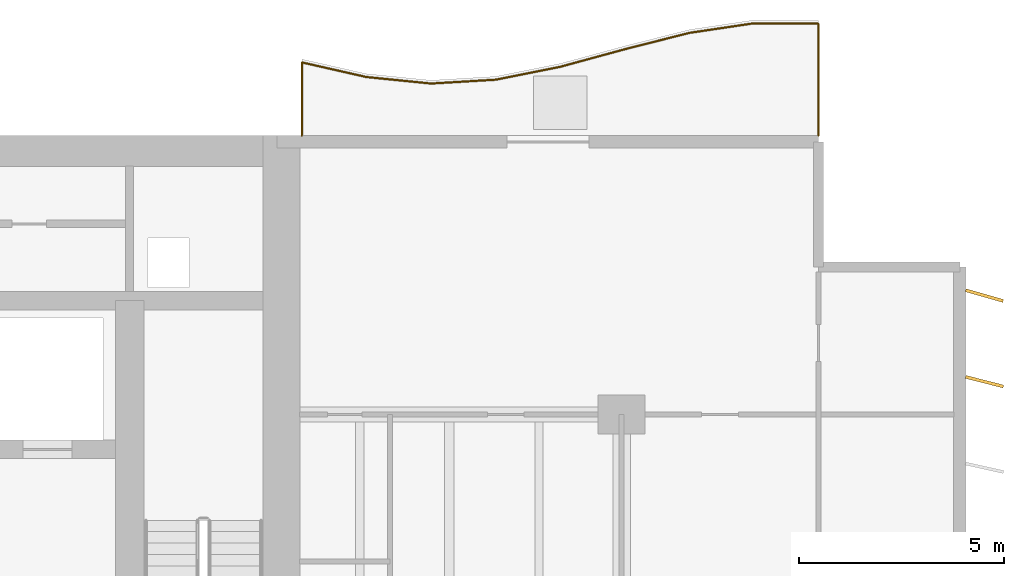
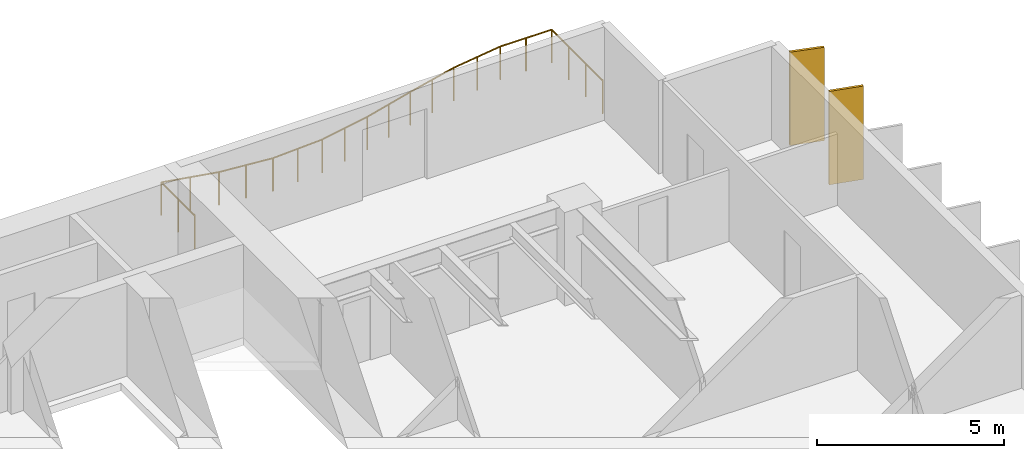
# One storey, part 18 of 18: 2 shading devices, 1 railing.
"""IFC4 building model written with IfcOpenShell, lengths in metres."""

from ifc_helpers import new_model, si_unit, direction, frame, origin, origin_2d, place, context, subcontext, project, spatial, rectangle, circle, extrude, material, material_profile, profile_set, type_object, element, save


model = new_model("IFC4")

# Units and contexts
model_context = context("Model", 3, precision=1e-05, world=origin(), true_north=direction((0.0, 1.0)))
body_context = subcontext(model_context, "Body", "Model", "MODEL_VIEW")
ifc_project = project(units=[si_unit("LENGTHUNIT", "METRE"), si_unit("AREAUNIT", "SQUARE_METRE"), si_unit("VOLUMEUNIT", "CUBIC_METRE"), si_unit("PLANEANGLEUNIT", "RADIAN"), si_unit("MASSUNIT", "GRAM", prefix="KILO")], contexts=[model_context])

# Site, building, storey
site_placement = place(None, origin())
site = spatial("IfcSite", under=ifc_project, at=site_placement, CompositionType="ELEMENT")
building_placement = place(site_placement, origin())
building = spatial("IfcBuilding", under=site, at=building_placement, Name="Caelmar Bay Residences", CompositionType="ELEMENT")
storey_placement = place(building_placement, frame((0.0, 0.0, 39.89990234375)))
storey = spatial("IfcBuildingStorey", under=building, at=storey_placement, Name="L09", CompositionType="ELEMENT", Elevation=39.89990234375)

# Railing
ifc_material_1 = material(Name="Anodised bronze handrail with laminated hurricane glass infill", Category="glass")
railing_type = type_object("IfcRailingType", Name="RL-BAL-1100", PredefinedType="BALUSTRADE", material=ifc_material_1)
railing_placement = place(storey_placement, frame((72.699951171875, 50.60009765625, 0.0)))
element("IfcRailing", 1, at=railing_placement, inside=storey, type_object=railing_type, Name="L09 north_east Balcony Balustrade", PredefinedType="BALUSTRADE", context=body_context, shape_type="SweptSolid", body=[
    extrude(circle(Radius=0.02392578125, at=origin_2d()), frame((0.0, 0.0, 1.076171875), z_axis=(0.0, 1.0, 0.0), x_axis=(-1.0, 0.0, 0.0)), (0.0, 0.0, 1.0), 2.733154296875),
    extrude(circle(Radius=0.02392578125, at=origin_2d()), frame((0.0, 2.733154296875, 1.076171875), z_axis=(-0.999985282216, 0.005425435572, 0.0), x_axis=(-0.005425435572, -0.999985282216, 0.0)), (0.0, 0.0, 1.0), 1.574951171875),
    extrude(circle(Radius=0.02392578125, at=origin_2d()), frame((-1.574951171875, 2.74169921875, 1.076171875), z_axis=(-0.989085424224, -0.147343216971, 0.0), x_axis=(0.147343216971, -0.989085424224, 0.0)), (0.0, 0.0, 1.0), 1.59228515625),
    extrude(circle(Radius=0.02392578125, at=origin_2d()), frame((-3.14990234375, 2.507080078125, 1.076171875), z_axis=(-0.969386499063, -0.245539844903, 0.0), x_axis=(0.245539844903, -0.969386499063, 0.0)), (0.0, 0.0, 1.0), 1.624755859375),
    extrude(circle(Radius=0.02392578125, at=origin_2d()), frame((-4.724853515625, 2.108154296875, 1.076171875), z_axis=(-0.964901735342, -0.262611197654, 0.0), x_axis=(0.262611197654, -0.964901735342, 0.0)), (0.0, 0.0, 1.0), 1.632568359375),
    extrude(circle(Radius=0.02392578125, at=origin_2d()), frame((-6.300048828125, 1.679443359375, 1.076171875), z_axis=(-0.980703271668, -0.195502155846, 0.0), x_axis=(0.195502155846, -0.980703271668, 0.0)), (0.0, 0.0, 1.0), 1.60595703125),
    extrude(circle(Radius=0.02392578125, at=origin_2d()), frame((-7.875, 1.365478515625, 1.076171875), z_axis=(-0.99825135222, -0.059112078212, 0.0), x_axis=(0.059112078212, -0.99825135222, 0.0)), (0.0, 0.0, 1.0), 1.57763671875),
    extrude(circle(Radius=0.02392578125, at=origin_2d()), frame((-9.449951171875, 1.272216796875, 1.076171875), z_axis=(-0.994962082578, 0.100251953755, 0.0), x_axis=(-0.100251953755, -0.994962082578, 0.0)), (0.0, 0.0, 1.0), 1.5830078125),
    extrude(circle(Radius=0.02392578125, at=origin_2d()), frame((-11.02490234375, 1.430908203125, 1.076171875), z_axis=(-0.975235218477, 0.221170225489, 0.0), x_axis=(-0.221170225489, -0.975235218477, 0.0)), (0.0, 0.0, 1.0), 1.614990234375),
    extrude(circle(Radius=0.02392578125, at=origin_2d()), frame((-12.599853515625, 1.7880859375, 1.076171875), z_axis=(0.0, -1.0, 0.0), x_axis=(1.0, 0.0, 0.0)), (0.0, 0.0, 1.0), 1.7880859375),
    extrude(circle(Radius=0.02099609375, at=origin_2d()), origin(), (0.0, 0.0, 1.0), 1.052001953125),
    extrude(circle(Radius=0.02099609375, at=origin_2d()), frame((0.0, 0.9111328125, 0.0)), (0.0, 0.0, 1.0), 1.052001953125),
    extrude(circle(Radius=0.02099609375, at=origin_2d()), frame((0.0, 1.822021484375, 0.0)), (0.0, 0.0, 1.0), 1.052001953125),
    extrude(circle(Radius=0.02099609375, at=origin_2d()), frame((0.0, 2.733154296875, 0.0)), (0.0, 0.0, 1.0), 1.052001953125),
    extrude(circle(Radius=0.02099609375, at=origin_2d()), frame((-0.78759765625, 2.7373046875, 0.0)), (0.0, 0.0, 1.0), 1.052001953125),
    extrude(circle(Radius=0.02099609375, at=origin_2d()), frame((-1.574951171875, 2.74169921875, 0.0)), (0.0, 0.0, 1.0), 1.052001953125),
    extrude(circle(Radius=0.02099609375, at=origin_2d()), frame((-2.3623046875, 2.62451171875, 0.0)), (0.0, 0.0, 1.0), 1.052001953125),
    extrude(circle(Radius=0.02099609375, at=origin_2d()), frame((-3.14990234375, 2.507080078125, 0.0)), (0.0, 0.0, 1.0), 1.052001953125),
    extrude(circle(Radius=0.02099609375, at=origin_2d()), frame((-3.9375, 2.3076171875, 0.0)), (0.0, 0.0, 1.0), 1.052001953125),
    extrude(circle(Radius=0.02099609375, at=origin_2d()), frame((-4.724853515625, 2.108154296875, 0.0)), (0.0, 0.0, 1.0), 1.052001953125),
    extrude(circle(Radius=0.02099609375, at=origin_2d()), frame((-5.512451171875, 1.893798828125, 0.0)), (0.0, 0.0, 1.0), 1.052001953125),
    extrude(circle(Radius=0.02099609375, at=origin_2d()), frame((-6.300048828125, 1.679443359375, 0.0)), (0.0, 0.0, 1.0), 1.052001953125),
    extrude(circle(Radius=0.02099609375, at=origin_2d()), frame((-7.08740234375, 1.5224609375, 0.0)), (0.0, 0.0, 1.0), 1.052001953125),
    extrude(circle(Radius=0.02099609375, at=origin_2d()), frame((-7.875, 1.365478515625, 0.0)), (0.0, 0.0, 1.0), 1.052001953125),
    extrude(circle(Radius=0.02099609375, at=origin_2d()), frame((-8.66259765625, 1.31884765625, 0.0)), (0.0, 0.0, 1.0), 1.052001953125),
    extrude(circle(Radius=0.02099609375, at=origin_2d()), frame((-9.449951171875, 1.272216796875, 0.0)), (0.0, 0.0, 1.0), 1.052001953125),
    extrude(circle(Radius=0.02099609375, at=origin_2d()), frame((-10.2373046875, 1.3515625, 0.0)), (0.0, 0.0, 1.0), 1.052001953125),
    extrude(circle(Radius=0.02099609375, at=origin_2d()), frame((-11.02490234375, 1.430908203125, 0.0)), (0.0, 0.0, 1.0), 1.052001953125),
    extrude(circle(Radius=0.02099609375, at=origin_2d()), frame((-11.8125, 1.609375, 0.0)), (0.0, 0.0, 1.0), 1.052001953125),
    extrude(circle(Radius=0.02099609375, at=origin_2d()), frame((-12.599853515625, 1.7880859375, 0.0)), (0.0, 0.0, 1.0), 1.052001953125),
    extrude(circle(Radius=0.02099609375, at=origin_2d()), frame((-12.599853515625, 0.89404296875, 0.0)), (0.0, 0.0, 1.0), 1.052001953125),
    extrude(circle(Radius=0.02099609375, at=origin_2d()), frame((-12.599853515625, 0.0, 0.0)), (0.0, 0.0, 1.0), 1.052001953125),
])

# Shading devices
ifc_material_2 = material(Name="Anodised architectural bronze aluminium 6063-T6", Category="aluminium")
ifc_material_profile = material_profile(ifc_material_2, rectangle(XDim=0.074951171875, YDim=0.949951171875, at=origin_2d()), Name="BRONZE-FIN-75X950")
ifc_profile_set = profile_set([ifc_material_profile], Name="Anodised architectural bronze aluminium 6063-T6")
shading_device_type = type_object("IfcShadingDeviceType", Name="SHD-FIN-950", PredefinedType="USERDEFINED", material=ifc_profile_set)
for number, where, z_axis, x_axis, name in (
    (2, (76.75, 44.60009765625, 0.0), (0.0, 0.0, 1.0), (0.247337247968, 0.968929453452, 0.0), "L09 East Bronze Solar Fin 19"),
    (3, (76.75, 46.699951171875, 0.0), (0.0, 0.0, 1.0), (0.275637355817, 0.961261695938, 0.0), "L09 East Bronze Solar Fin 20"),
):
    element("IfcShadingDevice", number, at=place(storey_placement, frame(where, z_axis=z_axis, x_axis=x_axis)), inside=storey, type_object=shading_device_type, Name=name, ObjectType="FIN", PredefinedType="USERDEFINED", context=body_context, shape_type="SweptSolid", body=[
        extrude(rectangle(XDim=0.074951171875, YDim=0.949951171875, at=origin_2d()), origin(), (0.0, 0.0, 1.0), 3.050048828125),
    ])

save(model, "model.ifc")
